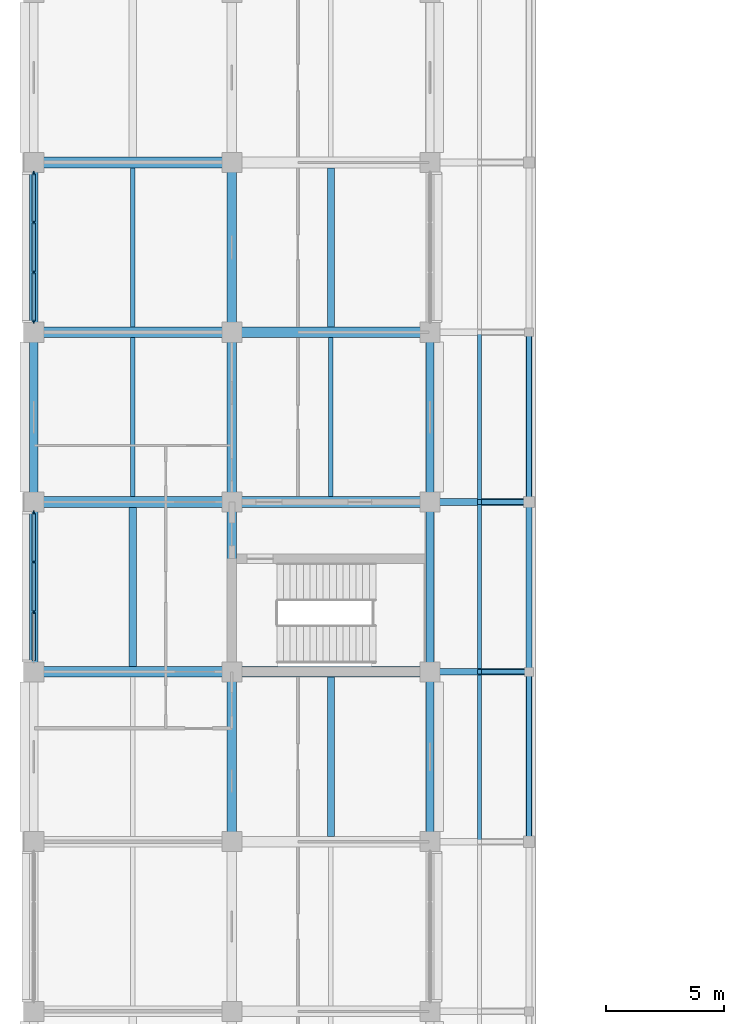
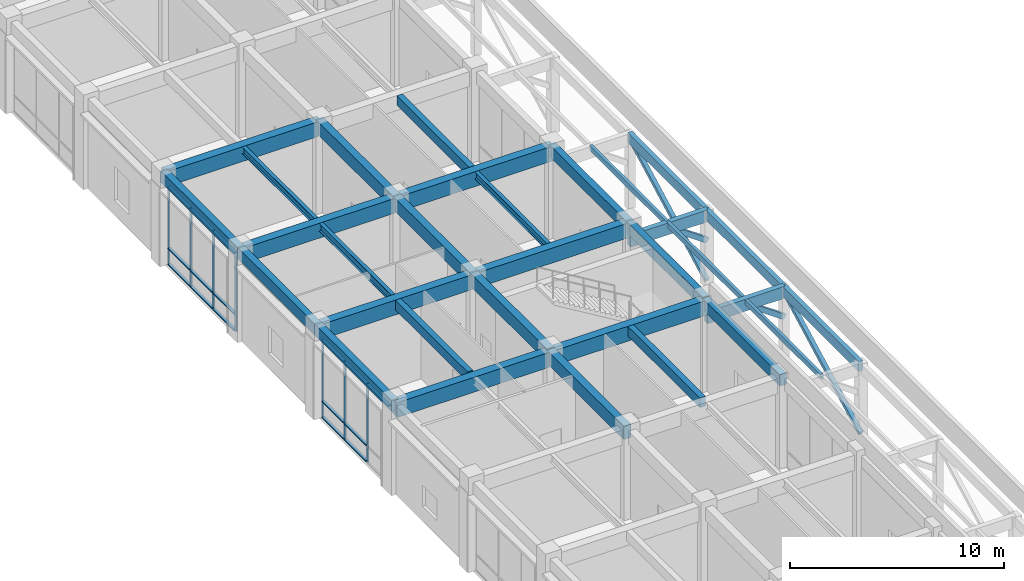
# One storey, part 6 of 68: 30 members, 28 beams, 2 elements without a shape of their own.
"""IFC4 building model written with IfcOpenShell, lengths in metres."""

from ifc_helpers import new_model, si_unit, direction, frame, origin, origin_2d, place, context, subcontext, project, spatial, rectangle, i_section, extrude, material, layer, layer_set, material_profile, profile_set, type_object, element, aggregate, save


model = new_model("IFC4")

# Units and contexts
model_context = context("Model", 3, precision=1e-05, world=origin(), true_north=direction((0.0, 1.0)))
body_context = subcontext(model_context, "Body", "Model", "MODEL_VIEW")
ifc_project = project(units=[si_unit("LENGTHUNIT", "METRE"), si_unit("AREAUNIT", "SQUARE_METRE"), si_unit("VOLUMEUNIT", "CUBIC_METRE"), si_unit("PLANEANGLEUNIT", "RADIAN"), si_unit("MASSUNIT", "GRAM", prefix="KILO")], contexts=[model_context])

# Site, building, storey
site_placement = place(None, origin())
site = spatial("IfcSite", under=ifc_project, at=site_placement, CompositionType="ELEMENT")
building_placement = place(site_placement, origin())
building = spatial("IfcBuilding", under=site, at=building_placement, Name="Chengyuan Square Courthouse", CompositionType="ELEMENT")
storey_placement = place(building_placement, frame((0.0, 0.0, 5.39990234375)))
storey = spatial("IfcBuildingStorey", under=building, at=storey_placement, Name="L02", CompositionType="ELEMENT", Elevation=5.39990234375)

# Beams
ifc_material_1 = material(Name="Concrete C40", Category="concrete")
ifc_material_profile_1 = material_profile(ifc_material_1, rectangle(XDim=0.449951171875, YDim=0.85009765625, at=origin_2d()), Name="RC-BM-450x850")
ifc_profile_set_1 = profile_set([ifc_material_profile_1], Name="Concrete C40")
beam_type_1 = type_object("IfcBeamType", Name="BM-01", PredefinedType="USERDEFINED", material=ifc_profile_set_1)
beam_1_placement = place(storey_placement, frame((0.0, 36.0, 4.625), z_axis=(1.0, 0.0, 0.0), x_axis=(0.0, 1.0, 0.0)))
element("IfcBeam", 1, at=beam_1_placement, inside=storey, type_object=beam_type_1, Name="Girder BM-L02-2091", ObjectType="GIRDER", PredefinedType="USERDEFINED", context=body_context, shape_type="SweptSolid", body=[
    extrude(rectangle(XDim=0.449951171875, YDim=0.85009765625, at=origin_2d()), origin(), (0.0, 0.0, 1.0), 8.39990234375),
])
beam_2_placement = place(storey_placement, frame((8.39990234375, 36.0, 4.625), z_axis=(1.0, 0.0, 0.0), x_axis=(0.0, 1.0, 0.0)))
element("IfcBeam", 2, at=beam_2_placement, inside=storey, type_object=beam_type_1, Name="Girder BM-L02-2092", ObjectType="GIRDER", PredefinedType="USERDEFINED", context=body_context, shape_type="SweptSolid", body=[
    extrude(rectangle(XDim=0.449951171875, YDim=0.85009765625, at=origin_2d()), origin(), (0.0, 0.0, 1.0), 8.400146484375),
])
beam_3_placement = place(storey_placement, frame((0.0, 43.199951171875, 4.695068359375), z_axis=(1.0, 0.0, 0.0), x_axis=(0.0, 1.0, 0.0)))
element("IfcBeam", 3, at=beam_3_placement, inside=storey, type_object=beam_type_1, Name="Girder BM-L02-2095", ObjectType="GIRDER", PredefinedType="USERDEFINED", context=body_context, shape_type="SweptSolid", body=[
    extrude(rectangle(XDim=0.449951171875, YDim=0.85009765625, at=origin_2d()), origin(), (0.0, 0.0, 1.0), 8.39990234375),
])
beam_4_placement = place(storey_placement, frame((8.39990234375, 43.199951171875, 4.695068359375), z_axis=(1.0, 0.0, 0.0), x_axis=(0.0, 1.0, 0.0)))
element("IfcBeam", 4, at=beam_4_placement, inside=storey, type_object=beam_type_1, Name="Girder BM-L02-2096", ObjectType="GIRDER", PredefinedType="USERDEFINED", context=body_context, shape_type="SweptSolid", body=[
    extrude(rectangle(XDim=0.449951171875, YDim=0.85009765625, at=origin_2d()), origin(), (0.0, 0.0, 1.0), 8.400146484375),
])
beam_5_placement = place(storey_placement, frame((0.0, 50.39990234375, 4.695068359375), z_axis=(1.0, 0.0, 0.0), x_axis=(0.0, 1.0, 0.0)))
element("IfcBeam", 5, at=beam_5_placement, inside=storey, type_object=beam_type_1, Name="Girder BM-L02-2099", ObjectType="GIRDER", PredefinedType="USERDEFINED", context=body_context, shape_type="SweptSolid", body=[
    extrude(rectangle(XDim=0.449951171875, YDim=0.85009765625, at=origin_2d()), origin(), (0.0, 0.0, 1.0), 8.39990234375),
])
beam_6_placement = place(storey_placement, frame((8.39990234375, 50.39990234375, 4.695068359375), z_axis=(1.0, 0.0, 0.0), x_axis=(0.0, 1.0, 0.0)))
element("IfcBeam", 6, at=beam_6_placement, inside=storey, type_object=beam_type_1, Name="Girder BM-L02-2100", ObjectType="GIRDER", PredefinedType="USERDEFINED", context=body_context, shape_type="SweptSolid", body=[
    extrude(rectangle(XDim=0.449951171875, YDim=0.85009765625, at=origin_2d()), origin(), (0.0, 0.0, 1.0), 8.400146484375),
])
beam_7_placement = place(storey_placement, frame((0.0, 57.60009765625, 4.695068359375), z_axis=(1.0, 0.0, 0.0), x_axis=(0.0, 1.0, 0.0)))
element("IfcBeam", 7, at=beam_7_placement, inside=storey, type_object=beam_type_1, Name="Girder BM-L02-2103", ObjectType="GIRDER", PredefinedType="USERDEFINED", context=body_context, shape_type="SweptSolid", body=[
    extrude(rectangle(XDim=0.449951171875, YDim=0.85009765625, at=origin_2d()), origin(), (0.0, 0.0, 1.0), 8.39990234375),
])
ifc_material_profile_2 = material_profile(ifc_material_1, rectangle(XDim=0.39990234375, YDim=0.75, at=origin_2d()), Name="RC-BM-400x750")
ifc_profile_set_2 = profile_set([ifc_material_profile_2], Name="Concrete C40")
beam_type_2 = type_object("IfcBeamType", Name="BM-02", PredefinedType="USERDEFINED", material=ifc_profile_set_2)
for number, where, z_axis, x_axis, name in (
    (8, (8.39990234375, 28.800048828125, 4.675048828125), (0.0, 1.0, 0.0), (-1.0, 0.0, 0.0), "Girder BM-L02-2246"),
    (9, (8.39990234375, 36.0, 4.7451171875), (0.0, 1.0, 0.0), (-1.0, 0.0, 0.0), "Girder BM-L02-2247"),
    (10, (8.39990234375, 43.199951171875, 4.7451171875), (0.0, 1.0, 0.0), (-1.0, 0.0, 0.0), "Girder BM-L02-2248"),
):
    element("IfcBeam", number, at=place(storey_placement, frame(where, z_axis=z_axis, x_axis=x_axis)), inside=storey, type_object=beam_type_2, Name=name, ObjectType="GIRDER", PredefinedType="USERDEFINED", context=body_context, shape_type="SweptSolid", body=[
        extrude(rectangle(XDim=0.39990234375, YDim=0.75, at=origin_2d()), origin(), (0.0, 0.0, 1.0), 7.199951171875),
    ])
beam_8_placement = place(storey_placement, frame((8.39990234375, 50.39990234375, 4.7451171875), z_axis=(0.0, 1.0, 0.0), x_axis=(-1.0, 0.0, 0.0)))
element("IfcBeam", 11, at=beam_8_placement, inside=storey, type_object=beam_type_2, Name="Girder BM-L02-2249", ObjectType="GIRDER", PredefinedType="USERDEFINED", context=body_context, shape_type="SweptSolid", body=[
    extrude(rectangle(XDim=0.39990234375, YDim=0.75, at=origin_2d()), origin(), (0.0, 0.0, 1.0), 7.2001953125),
])
ifc_material_profile_3 = material_profile(ifc_material_1, rectangle(XDim=0.35009765625, YDim=0.64990234375, at=origin_2d()), Name="RC-BM-350x650")
ifc_profile_set_3 = profile_set([ifc_material_profile_3], Name="Concrete C40")
beam_type_3 = type_object("IfcBeamType", Name="BM-03", PredefinedType="SPANDREL", material=ifc_profile_set_3)
for number, where, z_axis, x_axis, name in (
    (12, (0.0, 36.0, 4.795166015625), (0.0, 1.0, 0.0), (-1.0, 0.0, 0.0), "Girder BM-L02-2232"),
    (13, (0.0, 43.199951171875, 4.795166015625), (0.0, 1.0, 0.0), (-1.0, 0.0, 0.0), "Girder BM-L02-2233"),
):
    element("IfcBeam", number, at=place(storey_placement, frame(where, z_axis=z_axis, x_axis=x_axis)), inside=storey, type_object=beam_type_3, Name=name, PredefinedType="SPANDREL", context=body_context, shape_type="SweptSolid", body=[
        extrude(rectangle(XDim=0.35009765625, YDim=0.64990234375, at=origin_2d()), origin(), (0.0, 0.0, 1.0), 7.199951171875),
    ])
beam_9_placement = place(storey_placement, frame((0.0, 50.39990234375, 4.795166015625), z_axis=(0.0, 1.0, 0.0), x_axis=(-1.0, 0.0, 0.0)))
element("IfcBeam", 14, at=beam_9_placement, inside=storey, type_object=beam_type_3, Name="Girder BM-L02-2234", PredefinedType="SPANDREL", context=body_context, shape_type="SweptSolid", body=[
    extrude(rectangle(XDim=0.35009765625, YDim=0.64990234375, at=origin_2d()), origin(), (0.0, 0.0, 1.0), 7.2001953125),
])
for number, where, z_axis, x_axis, name in (
    (15, (16.800048828125, 28.800048828125, 4.72509765625), (0.0, 1.0, 0.0), (-1.0, 0.0, 0.0), "Girder BM-L02-2261"),
    (16, (16.800048828125, 36.0, 4.795166015625), (0.0, 1.0, 0.0), (-1.0, 0.0, 0.0), "Girder BM-L02-2262"),
    (17, (16.800048828125, 43.199951171875, 4.795166015625), (0.0, 1.0, 0.0), (-1.0, 0.0, 0.0), "Girder BM-L02-2263"),
):
    element("IfcBeam", number, at=place(storey_placement, frame(where, z_axis=z_axis, x_axis=x_axis)), inside=storey, type_object=beam_type_3, Name=name, PredefinedType="SPANDREL", context=body_context, shape_type="SweptSolid", body=[
        extrude(rectangle(XDim=0.35009765625, YDim=0.64990234375, at=origin_2d()), origin(), (0.0, 0.0, 1.0), 7.199951171875),
    ])
ifc_material_profile_4 = material_profile(ifc_material_1, rectangle(XDim=0.300048828125, YDim=0.550048828125, at=origin_2d()), Name="RC-BM-300x550")
ifc_profile_set_4 = profile_set([ifc_material_profile_4], Name="Concrete C40")
beam_type_4 = type_object("IfcBeamType", Name="BM-04", PredefinedType="BEAM", material=ifc_profile_set_4)
for number, where, z_axis, x_axis, name in (
    (18, (4.199951171875, 36.22509765625, 4.84521484375), (0.0, 1.0, 0.0), (-1.0, 0.0, 0.0), "Secondary Floor Beam SBM-L02-2395"),
    (19, (12.60009765625, 29.02490234375, 4.775146484375), (0.0, 1.0, 0.0), (-1.0, 0.0, 0.0), "Secondary Floor Beam SBM-L02-2409"),
    (20, (12.60009765625, 50.625, 4.84521484375), (0.0, 1.0, 0.0), (-1.0, 0.0, 0.0), "Secondary Floor Beam SBM-L02-2411"),
):
    element("IfcBeam", number, at=place(storey_placement, frame(where, z_axis=z_axis, x_axis=x_axis)), inside=storey, type_object=beam_type_4, Name=name, PredefinedType="BEAM", context=body_context, shape_type="SweptSolid", body=[
        extrude(rectangle(XDim=0.300048828125, YDim=0.550048828125, at=origin_2d()), origin(), (0.0, 0.0, 1.0), 6.75),
    ])
ifc_material_2 = material(Name="Steel Q355B", Category="steel")
ifc_material_profile_5 = material_profile(ifc_material_2, i_section(OverallWidth=0.199951171875, OverallDepth=0.449951171875, WebThickness=0.009033203125, FlangeThickness=0.013916015625, at=origin_2d()), Name="HN 450x200x9x14")
ifc_profile_set_5 = profile_set([ifc_material_profile_5], Name="Steel Q355B")
beam_type_5 = type_object("IfcBeamType", Name="BM-06", PredefinedType="BEAM", material=ifc_profile_set_5)
beam_10_placement = place(storey_placement, frame((4.199951171875, 43.425048828125, 4.89501953125), z_axis=(0.0, 1.0, 0.0), x_axis=(-1.0, 0.0, 0.0)))
element("IfcBeam", 21, at=beam_10_placement, inside=storey, type_object=beam_type_5, Name="Secondary Floor Beam SBM-L02-2396", PredefinedType="BEAM", context=body_context, shape_type="SweptSolid", body=[
    extrude(i_section(OverallWidth=0.199951171875, OverallDepth=0.449951171875, WebThickness=0.009033203125, FlangeThickness=0.013916015625, at=origin_2d()), origin(), (0.0, 0.0, 1.0), 6.75),
])
ifc_material_profile_6 = material_profile(ifc_material_2, i_section(OverallWidth=0.199951171875, OverallDepth=0.39990234375, WebThickness=0.008056640625, FlangeThickness=0.012939453125, at=origin_2d()), Name="HN 400x200x8x13")
ifc_profile_set_6 = profile_set([ifc_material_profile_6], Name="Steel Q355B")
beam_type_6 = type_object("IfcBeamType", Name="BM-07", PredefinedType="BEAM", material=ifc_profile_set_6)
for number, where, z_axis, x_axis, name in (
    (22, (4.199951171875, 50.625, 4.920166015625), (0.0, 1.0, 0.0), (-1.0, 0.0, 0.0), "Secondary Floor Beam SBM-L02-2397"),
    (23, (12.60009765625, 43.425048828125, 4.920166015625), (0.0, 1.0, 0.0), (-1.0, 0.0, 0.0), "Secondary Floor Beam SBM-L02-2410"),
):
    element("IfcBeam", number, at=place(storey_placement, frame(where, z_axis=z_axis, x_axis=x_axis)), inside=storey, type_object=beam_type_6, Name=name, PredefinedType="BEAM", context=body_context, shape_type="SweptSolid", body=[
        extrude(i_section(OverallWidth=0.199951171875, OverallDepth=0.39990234375, WebThickness=0.008056640625, FlangeThickness=0.012939453125, at=origin_2d()), origin(), (0.0, 0.0, 1.0), 6.75),
    ])

# Members
ifc_material_3 = material(Name="Glulam TCt28", Category="wood")
ifc_material_profile_7 = material_profile(ifc_material_3, rectangle(XDim=0.219970703125, YDim=0.219970703125, at=origin_2d()), Name="GL-BR-220x220")
ifc_profile_set_7 = profile_set([ifc_material_profile_7], Name="Glulam TCt28")
member_type_1 = type_object("IfcMemberType", Name="BR-03", PredefinedType="BRACE", material=ifc_profile_set_7)
for number, where, z_axis, x_axis, name in (
    (24, (21.0, 28.800048828125, 0.2001953125), (0.0, 0.883377366963, 0.468662381184), (-1.0, 0.0, 0.0), "Glulam Colonnade Portal Brace GBR-L02-005"),
    (25, (21.0, 43.199951171875, 0.2001953125), (0.0, 0.883377366963, 0.468662381184), (-1.0, 0.0, 0.0), "Glulam Colonnade Portal Brace GBR-L02-007"),
):
    element("IfcMember", number, at=place(storey_placement, frame(where, z_axis=z_axis, x_axis=x_axis)), inside=storey, type_object=member_type_1, Name=name, PredefinedType="BRACE", context=body_context, shape_type="SweptSolid", body=[
        extrude(rectangle(XDim=0.219970703125, YDim=0.219970703125, at=origin_2d()), origin(), (0.0, 0.0, 1.0), 8.150390625),
    ])

# Curtain wall, members
ifc_material_4 = material(Name="Unitised Aluminium and Triple Low-E Glass", Category="aluminium")
ifc_layer = layer(ifc_material_4, 0.159912109375)
ifc_layer_set = layer_set([ifc_layer], Name="Unitised Aluminium and Triple Low-E Glass")
curtain_wall_type = type_object("IfcCurtainWallType", Name="CW-17", PredefinedType="USERDEFINED", material=ifc_layer_set)
curtain_wall_1_placement = place(storey_placement, origin())
curtain_wall_1 = element("IfcCurtainWall", 26, at=curtain_wall_1_placement, inside=storey, type_object=curtain_wall_type, Name="Unitised Curtain Wall CW-L02-046", ObjectType="UNITISED CURTAIN WALL", PredefinedType="USERDEFINED")
ifc_material_5 = material(Name="Aluminium 6063-T6 Frame", Category="aluminium")
ifc_material_profile_8 = material_profile(ifc_material_5, rectangle(XDim=0.06005859375, YDim=0.159912109375, at=origin_2d()), Name="CW-MUL-60x160")
ifc_profile_set_8 = profile_set([ifc_material_profile_8], Name="Aluminium 6063-T6 Frame")
member_type_2 = type_object("IfcMemberType", Name="CWM-01", PredefinedType="MULLION", material=ifc_profile_set_8)
member_1_placement = place(storey_placement, frame((0.0, 38.541748046875, 0.0), z_axis=(0.0, 0.0, 1.0), x_axis=(-1.0, 0.0, 0.0)))
member_1 = element("IfcMember", 27, at=member_1_placement, type_object=member_type_2, Name="CW-17 mullion 2", PredefinedType="MULLION", context=body_context, shape_type="SweptSolid", body=[
    extrude(rectangle(XDim=0.06005859375, YDim=0.159912109375, at=origin_2d()), origin(), (0.0, 0.0, 1.0), 4.47021484375),
])
member_2_placement = place(storey_placement, frame((0.0, 40.658447265625, 0.0), z_axis=(0.0, 0.0, 1.0), x_axis=(-1.0, 0.0, 0.0)))
member_2 = element("IfcMember", 28, at=member_2_placement, type_object=member_type_2, Name="CW-17 mullion 3", PredefinedType="MULLION", context=body_context, shape_type="SweptSolid", body=[
    extrude(rectangle(XDim=0.06005859375, YDim=0.159912109375, at=origin_2d()), origin(), (0.0, 0.0, 1.0), 4.47021484375),
])
member_3_placement = place(storey_placement, frame((0.0, 42.7451171875, 0.0), z_axis=(0.0, 0.0, 1.0), x_axis=(-1.0, 0.0, 0.0)))
member_3 = element("IfcMember", 29, at=member_3_placement, type_object=member_type_2, Name="CW-17 mullion 4", PredefinedType="MULLION", context=body_context, shape_type="SweptSolid", body=[
    extrude(rectangle(XDim=0.06005859375, YDim=0.159912109375, at=origin_2d()), origin(), (0.0, 0.0, 1.0), 4.47021484375),
])

curtain_wall_2_placement = place(storey_placement, origin())
curtain_wall_2 = element("IfcCurtainWall", 30, at=curtain_wall_2_placement, inside=storey, type_object=curtain_wall_type, Name="Unitised Curtain Wall CW-L02-047", ObjectType="UNITISED CURTAIN WALL", PredefinedType="USERDEFINED")
member_4_placement = place(storey_placement, frame((0.0, 50.85498046875, 0.0), z_axis=(0.0, 0.0, 1.0), x_axis=(-1.0, 0.0, 0.0)))
member_4 = element("IfcMember", 31, at=member_4_placement, type_object=member_type_2, Name="CW-17 mullion 1", PredefinedType="MULLION", context=body_context, shape_type="SweptSolid", body=[
    extrude(rectangle(XDim=0.06005859375, YDim=0.159912109375, at=origin_2d()), origin(), (0.0, 0.0, 1.0), 4.47021484375),
])
member_5_placement = place(storey_placement, frame((0.0, 52.941650390625, 0.0), z_axis=(0.0, 0.0, 1.0), x_axis=(-1.0, 0.0, 0.0)))
member_5 = element("IfcMember", 32, at=member_5_placement, type_object=member_type_2, Name="CW-17 mullion 2", PredefinedType="MULLION", context=body_context, shape_type="SweptSolid", body=[
    extrude(rectangle(XDim=0.06005859375, YDim=0.159912109375, at=origin_2d()), origin(), (0.0, 0.0, 1.0), 4.47021484375),
])
member_6_placement = place(storey_placement, frame((0.0, 55.058349609375, 0.0), z_axis=(0.0, 0.0, 1.0), x_axis=(-1.0, 0.0, 0.0)))
member_6 = element("IfcMember", 33, at=member_6_placement, type_object=member_type_2, Name="CW-17 mullion 3", PredefinedType="MULLION", context=body_context, shape_type="SweptSolid", body=[
    extrude(rectangle(XDim=0.06005859375, YDim=0.159912109375, at=origin_2d()), origin(), (0.0, 0.0, 1.0), 4.47021484375),
])
member_7_placement = place(storey_placement, frame((0.0, 57.14501953125, 0.0), z_axis=(0.0, 0.0, 1.0), x_axis=(-1.0, 0.0, 0.0)))
member_7 = element("IfcMember", 34, at=member_7_placement, type_object=member_type_2, Name="CW-17 mullion 4", PredefinedType="MULLION", context=body_context, shape_type="SweptSolid", body=[
    extrude(rectangle(XDim=0.06005859375, YDim=0.159912109375, at=origin_2d()), origin(), (0.0, 0.0, 1.0), 4.47021484375),
])

# Member
ifc_material_profile_9 = material_profile(ifc_material_5, rectangle(XDim=0.159912109375, YDim=0.06005859375, at=origin_2d()), Name="CW-TRN-60x120")
ifc_profile_set_9 = profile_set([ifc_material_profile_9], Name="Aluminium 6063-T6 Frame")
member_type_3 = type_object("IfcMemberType", Name="CWT-01", PredefinedType="USERDEFINED", material=ifc_profile_set_9)
member_8_placement = place(storey_placement, frame((0.0, 36.485107421875, 4.440185546875), z_axis=(0.0, 1.0, 0.0), x_axis=(-1.0, 0.0, 0.0)))
member_8 = element("IfcMember", 35, at=member_8_placement, type_object=member_type_3, Name="CW-17 transom 1.3", ObjectType="TRANSOM", PredefinedType="USERDEFINED", context=body_context, shape_type="SweptSolid", body=[
    extrude(rectangle(XDim=0.159912109375, YDim=0.06005859375, at=origin_2d()), origin(), (0.0, 0.0, 1.0), 2.026611328125),
])

member_9_placement = place(storey_placement, frame((0.0, 38.57177734375, 0.030029296875), z_axis=(0.0, 1.0, 0.0), x_axis=(-1.0, 0.0, 0.0)))
member_9 = element("IfcMember", 36, at=member_9_placement, type_object=member_type_3, Name="CW-17 transom 2.1", ObjectType="TRANSOM", PredefinedType="USERDEFINED", context=body_context, shape_type="SweptSolid", body=[
    extrude(rectangle(XDim=0.159912109375, YDim=0.06005859375, at=origin_2d()), origin(), (0.0, 0.0, 1.0), 2.056640625),
])

member_10_placement = place(storey_placement, frame((0.0, 38.57177734375, 0.9501953125), z_axis=(0.0, 1.0, 0.0), x_axis=(-1.0, 0.0, 0.0)))
member_10 = element("IfcMember", 37, at=member_10_placement, type_object=member_type_3, Name="CW-17 transom 2.2", ObjectType="TRANSOM", PredefinedType="USERDEFINED", context=body_context, shape_type="SweptSolid", body=[
    extrude(rectangle(XDim=0.159912109375, YDim=0.06005859375, at=origin_2d()), origin(), (0.0, 0.0, 1.0), 2.056640625),
])

member_11_placement = place(storey_placement, frame((0.0, 38.57177734375, 4.440185546875), z_axis=(0.0, 1.0, 0.0), x_axis=(-1.0, 0.0, 0.0)))
member_11 = element("IfcMember", 38, at=member_11_placement, type_object=member_type_3, Name="CW-17 transom 2.3", ObjectType="TRANSOM", PredefinedType="USERDEFINED", context=body_context, shape_type="SweptSolid", body=[
    extrude(rectangle(XDim=0.159912109375, YDim=0.06005859375, at=origin_2d()), origin(), (0.0, 0.0, 1.0), 2.056640625),
])

member_12_placement = place(storey_placement, frame((0.0, 40.688232421875, 0.030029296875), z_axis=(0.0, 1.0, 0.0), x_axis=(-1.0, 0.0, 0.0)))
member_12 = element("IfcMember", 39, at=member_12_placement, type_object=member_type_3, Name="CW-17 transom 3.1", ObjectType="TRANSOM", PredefinedType="USERDEFINED", context=body_context, shape_type="SweptSolid", body=[
    extrude(rectangle(XDim=0.159912109375, YDim=0.06005859375, at=origin_2d()), origin(), (0.0, 0.0, 1.0), 2.02685546875),
])

member_13_placement = place(storey_placement, frame((0.0, 40.688232421875, 0.9501953125), z_axis=(0.0, 1.0, 0.0), x_axis=(-1.0, 0.0, 0.0)))
member_13 = element("IfcMember", 40, at=member_13_placement, type_object=member_type_3, Name="CW-17 transom 3.2", ObjectType="TRANSOM", PredefinedType="USERDEFINED", context=body_context, shape_type="SweptSolid", body=[
    extrude(rectangle(XDim=0.159912109375, YDim=0.06005859375, at=origin_2d()), origin(), (0.0, 0.0, 1.0), 2.02685546875),
])

member_14_placement = place(storey_placement, frame((0.0, 40.688232421875, 4.440185546875), z_axis=(0.0, 1.0, 0.0), x_axis=(-1.0, 0.0, 0.0)))
member_14 = element("IfcMember", 41, at=member_14_placement, type_object=member_type_3, Name="CW-17 transom 3.3", ObjectType="TRANSOM", PredefinedType="USERDEFINED", context=body_context, shape_type="SweptSolid", body=[
    extrude(rectangle(XDim=0.159912109375, YDim=0.06005859375, at=origin_2d()), origin(), (0.0, 0.0, 1.0), 2.02685546875),
])

aggregate(curtain_wall_1, [member_1, member_2, member_3, member_8, member_9, member_10, member_11, member_12, member_13, member_14])

member_15_placement = place(storey_placement, frame((0.0, 50.885009765625, 0.030029296875), z_axis=(0.0, 1.0, 0.0), x_axis=(-1.0, 0.0, 0.0)))
member_15 = element("IfcMember", 42, at=member_15_placement, type_object=member_type_3, Name="CW-17 transom 1.1", ObjectType="TRANSOM", PredefinedType="USERDEFINED", context=body_context, shape_type="SweptSolid", body=[
    extrude(rectangle(XDim=0.159912109375, YDim=0.06005859375, at=origin_2d()), origin(), (0.0, 0.0, 1.0), 2.026611328125),
])

member_16_placement = place(storey_placement, frame((0.0, 50.885009765625, 0.9501953125), z_axis=(0.0, 1.0, 0.0), x_axis=(-1.0, 0.0, 0.0)))
member_16 = element("IfcMember", 43, at=member_16_placement, type_object=member_type_3, Name="CW-17 transom 1.2", ObjectType="TRANSOM", PredefinedType="USERDEFINED", context=body_context, shape_type="SweptSolid", body=[
    extrude(rectangle(XDim=0.159912109375, YDim=0.06005859375, at=origin_2d()), origin(), (0.0, 0.0, 1.0), 2.026611328125),
])

member_17_placement = place(storey_placement, frame((0.0, 50.885009765625, 4.440185546875), z_axis=(0.0, 1.0, 0.0), x_axis=(-1.0, 0.0, 0.0)))
member_17 = element("IfcMember", 44, at=member_17_placement, type_object=member_type_3, Name="CW-17 transom 1.3", ObjectType="TRANSOM", PredefinedType="USERDEFINED", context=body_context, shape_type="SweptSolid", body=[
    extrude(rectangle(XDim=0.159912109375, YDim=0.06005859375, at=origin_2d()), origin(), (0.0, 0.0, 1.0), 2.026611328125),
])

member_18_placement = place(storey_placement, frame((0.0, 52.9716796875, 0.030029296875), z_axis=(0.0, 1.0, 0.0), x_axis=(-1.0, 0.0, 0.0)))
member_18 = element("IfcMember", 45, at=member_18_placement, type_object=member_type_3, Name="CW-17 transom 2.1", ObjectType="TRANSOM", PredefinedType="USERDEFINED", context=body_context, shape_type="SweptSolid", body=[
    extrude(rectangle(XDim=0.159912109375, YDim=0.06005859375, at=origin_2d()), origin(), (0.0, 0.0, 1.0), 2.056640625),
])

member_19_placement = place(storey_placement, frame((0.0, 52.9716796875, 0.9501953125), z_axis=(0.0, 1.0, 0.0), x_axis=(-1.0, 0.0, 0.0)))
member_19 = element("IfcMember", 46, at=member_19_placement, type_object=member_type_3, Name="CW-17 transom 2.2", ObjectType="TRANSOM", PredefinedType="USERDEFINED", context=body_context, shape_type="SweptSolid", body=[
    extrude(rectangle(XDim=0.159912109375, YDim=0.06005859375, at=origin_2d()), origin(), (0.0, 0.0, 1.0), 2.056640625),
])

member_20_placement = place(storey_placement, frame((0.0, 52.9716796875, 4.440185546875), z_axis=(0.0, 1.0, 0.0), x_axis=(-1.0, 0.0, 0.0)))
member_20 = element("IfcMember", 47, at=member_20_placement, type_object=member_type_3, Name="CW-17 transom 2.3", ObjectType="TRANSOM", PredefinedType="USERDEFINED", context=body_context, shape_type="SweptSolid", body=[
    extrude(rectangle(XDim=0.159912109375, YDim=0.06005859375, at=origin_2d()), origin(), (0.0, 0.0, 1.0), 2.056640625),
])

member_21_placement = place(storey_placement, frame((0.0, 55.08837890625, 0.030029296875), z_axis=(0.0, 1.0, 0.0), x_axis=(-1.0, 0.0, 0.0)))
member_21 = element("IfcMember", 48, at=member_21_placement, type_object=member_type_3, Name="CW-17 transom 3.1", ObjectType="TRANSOM", PredefinedType="USERDEFINED", context=body_context, shape_type="SweptSolid", body=[
    extrude(rectangle(XDim=0.159912109375, YDim=0.06005859375, at=origin_2d()), origin(), (0.0, 0.0, 1.0), 2.026611328125),
])

member_22_placement = place(storey_placement, frame((0.0, 55.08837890625, 0.9501953125), z_axis=(0.0, 1.0, 0.0), x_axis=(-1.0, 0.0, 0.0)))
member_22 = element("IfcMember", 49, at=member_22_placement, type_object=member_type_3, Name="CW-17 transom 3.2", ObjectType="TRANSOM", PredefinedType="USERDEFINED", context=body_context, shape_type="SweptSolid", body=[
    extrude(rectangle(XDim=0.159912109375, YDim=0.06005859375, at=origin_2d()), origin(), (0.0, 0.0, 1.0), 2.026611328125),
])

member_23_placement = place(storey_placement, frame((0.0, 55.08837890625, 4.440185546875), z_axis=(0.0, 1.0, 0.0), x_axis=(-1.0, 0.0, 0.0)))
member_23 = element("IfcMember", 50, at=member_23_placement, type_object=member_type_3, Name="CW-17 transom 3.3", ObjectType="TRANSOM", PredefinedType="USERDEFINED", context=body_context, shape_type="SweptSolid", body=[
    extrude(rectangle(XDim=0.159912109375, YDim=0.06005859375, at=origin_2d()), origin(), (0.0, 0.0, 1.0), 2.026611328125),
])

aggregate(curtain_wall_2, [member_4, member_5, member_6, member_7, member_15, member_16, member_17, member_18, member_19, member_20, member_21, member_22, member_23])

# Beams
ifc_material_profile_10 = material_profile(ifc_material_3, rectangle(XDim=0.280029296875, YDim=0.679931640625, at=origin_2d()), Name="GL-BM-280x680")
ifc_profile_set_10 = profile_set([ifc_material_profile_10], Name="Glulam TCt28")
beam_type_7 = type_object("IfcBeamType", Name="GLB-01", PredefinedType="BEAM", material=ifc_profile_set_10)
for number, where, z_axis, x_axis, name in (
    (51, (16.800048828125, 36.0, 3.960205078125), (1.0, 0.0, 0.0), (0.0, 1.0, 0.0), "Glulam Colonnade Portal Beam GLB-L02-036"),
    (52, (16.800048828125, 43.199951171875, 3.960205078125), (1.0, 0.0, 0.0), (0.0, 1.0, 0.0), "Glulam Colonnade Portal Beam GLB-L02-038"),
):
    element("IfcBeam", number, at=place(storey_placement, frame(where, z_axis=z_axis, x_axis=x_axis)), inside=storey, type_object=beam_type_7, Name=name, PredefinedType="BEAM", context=body_context, shape_type="SweptSolid", body=[
        extrude(rectangle(XDim=0.280029296875, YDim=0.679931640625, at=origin_2d()), origin(), (0.0, 0.0, 1.0), 4.199951171875),
    ])
ifc_material_profile_11 = material_profile(ifc_material_3, rectangle(XDim=0.239990234375, YDim=0.56005859375, at=origin_2d()), Name="GL-BM-240x560")
ifc_profile_set_11 = profile_set([ifc_material_profile_11], Name="Glulam TCt28")
beam_type_8 = type_object("IfcBeamType", Name="GLB-02", PredefinedType="BEAM", material=ifc_profile_set_11)
for number, where, z_axis, x_axis, name in (
    (53, (21.0, 28.800048828125, 4.02001953125), (0.0, 1.0, 0.0), (-1.0, 0.0, 0.0), "Glulam Colonnade Header GLH-L02-005"),
    (54, (21.0, 36.0, 4.02001953125), (0.0, 1.0, 0.0), (-1.0, 0.0, 0.0), "Glulam Colonnade Header GLH-L02-006"),
    (55, (21.0, 43.199951171875, 4.02001953125), (0.0, 1.0, 0.0), (-1.0, 0.0, 0.0), "Glulam Colonnade Header GLH-L02-007"),
):
    element("IfcBeam", number, at=place(storey_placement, frame(where, z_axis=z_axis, x_axis=x_axis)), inside=storey, type_object=beam_type_8, Name=name, PredefinedType="BEAM", context=body_context, shape_type="SweptSolid", body=[
        extrude(rectangle(XDim=0.239990234375, YDim=0.56005859375, at=origin_2d()), origin(), (0.0, 0.0, 1.0), 7.199951171875),
    ])

# Members
ifc_material_profile_12 = material_profile(ifc_material_3, rectangle(XDim=0.159912109375, YDim=0.300048828125, at=origin_2d()), Name="GL-PRL-160x300")
ifc_profile_set_12 = profile_set([ifc_material_profile_12], Name="Glulam TCt28")
member_type_4 = type_object("IfcMemberType", Name="PRL-02", PredefinedType="PURLIN", material=ifc_profile_set_12)
for number, where, z_axis, x_axis, name in (
    (56, (18.89990234375, 28.800048828125, 4.150146484375), (0.0, 1.0, 0.0), (-1.0, 0.0, 0.0), "Glulam Canopy Purlin PRL-COL-005"),
    (57, (18.89990234375, 36.0, 4.150146484375), (0.0, 1.0, 0.0), (-1.0, 0.0, 0.0), "Glulam Canopy Purlin PRL-COL-006"),
    (58, (18.89990234375, 43.199951171875, 4.150146484375), (0.0, 1.0, 0.0), (-1.0, 0.0, 0.0), "Glulam Canopy Purlin PRL-COL-007"),
):
    element("IfcMember", number, at=place(storey_placement, frame(where, z_axis=z_axis, x_axis=x_axis)), inside=storey, type_object=member_type_4, Name=name, PredefinedType="PURLIN", context=body_context, shape_type="SweptSolid", body=[
        extrude(rectangle(XDim=0.159912109375, YDim=0.300048828125, at=origin_2d()), origin(), (0.0, 0.0, 1.0), 7.199951171875),
    ])
ifc_material_profile_13 = material_profile(ifc_material_3, rectangle(XDim=0.199951171875, YDim=0.280029296875, at=origin_2d()), Name="GL-STR-200x280")
ifc_profile_set_13 = profile_set([ifc_material_profile_13], Name="Glulam TCt28")
member_type_5 = type_object("IfcMemberType", Name="STR-01", PredefinedType="STRUT", material=ifc_profile_set_13)
for number, where, z_axis, x_axis, name in (
    (59, (21.0, 36.0, 2.5), (-0.821039413556, 0.0, 0.570871510402), (0.0, -1.0, 0.0), "Glulam Colonnade Knee Strut STR-L02-036"),
    (60, (21.0, 43.199951171875, 2.5), (-0.821039413556, 0.0, 0.570871510402), (0.0, -1.0, 0.0), "Glulam Colonnade Knee Strut STR-L02-038"),
):
    element("IfcMember", number, at=place(storey_placement, frame(where, z_axis=z_axis, x_axis=x_axis)), inside=storey, type_object=member_type_5, Name=name, PredefinedType="STRUT", context=body_context, shape_type="SweptSolid", body=[
        extrude(rectangle(XDim=0.199951171875, YDim=0.280029296875, at=origin_2d()), origin(), (0.0, 0.0, 1.0), 2.557861328125),
    ])

save(model, "model.ifc")
